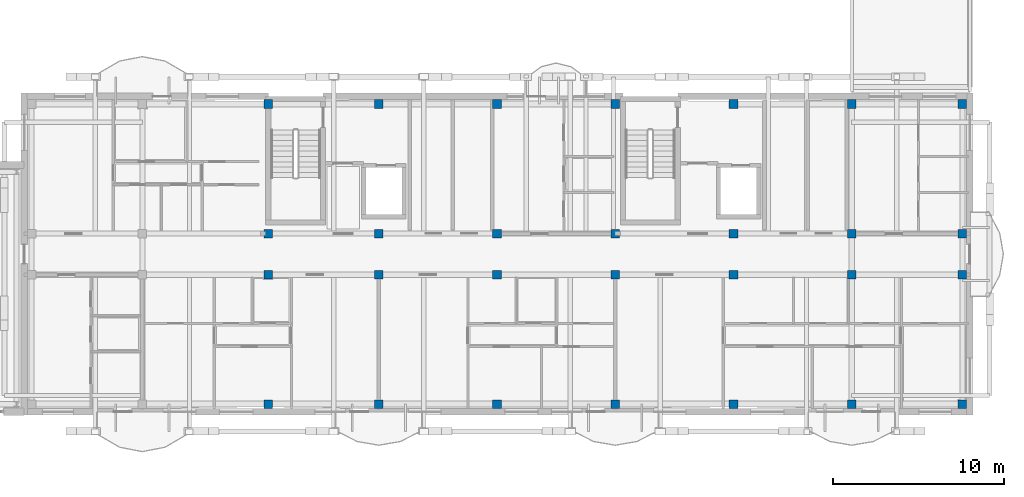
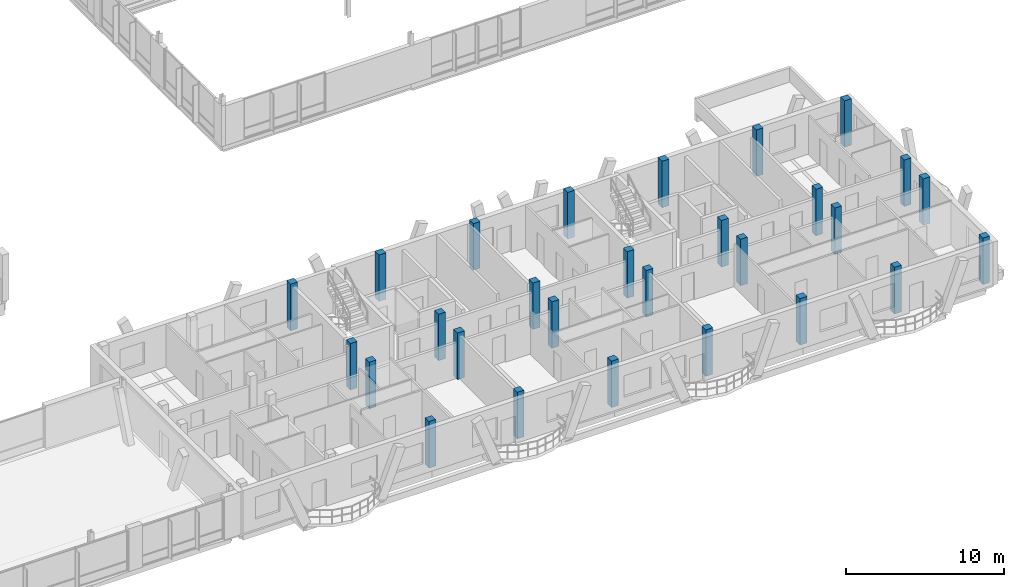
# One storey, part 11 of 189: 28 columns.
"""IFC4 building model written with IfcOpenShell, lengths in metres."""

from ifc_helpers import new_model, si_unit, direction, frame, origin, origin_2d, place, context, subcontext, project, spatial, rectangle, extrude, material, material_profile, profile_set, type_object, element, save


model = new_model("IFC4")

# Units and contexts
model_context = context("Model", 3, precision=1e-05, world=origin(), true_north=direction((0.0, 1.0)))
body_context = subcontext(model_context, "Body", "Model", "MODEL_VIEW")
ifc_project = project(units=[si_unit("LENGTHUNIT", "METRE"), si_unit("AREAUNIT", "SQUARE_METRE"), si_unit("VOLUMEUNIT", "CUBIC_METRE"), si_unit("PLANEANGLEUNIT", "RADIAN"), si_unit("MASSUNIT", "GRAM", prefix="KILO")], contexts=[model_context])

# Site, building, storey
site_placement = place(None, origin())
site = spatial("IfcSite", under=ifc_project, at=site_placement, CompositionType="ELEMENT")
building_placement = place(site_placement, origin())
building = spatial("IfcBuilding", under=site, at=building_placement, Name="Zavelmont Quarter", CompositionType="ELEMENT")
storey_placement = place(building_placement, frame((0.0, 0.0, 4.39990234375)))
storey = spatial("IfcBuildingStorey", under=building, at=storey_placement, Name="L01", CompositionType="ELEMENT", Elevation=4.39990234375)

# Columns
ifc_material = material(Name="Concrete C40/50", Category="concrete")
ifc_material_profile = material_profile(ifc_material, rectangle(XDim=0.5, YDim=0.5, at=origin_2d()), Name="RC500X500")
ifc_profile_set = profile_set([ifc_material_profile], Name="Concrete C40/50")
column_type = type_object("IfcColumnType", Name="CL03", PredefinedType="COLUMN", material=ifc_profile_set)
for number, where, z_axis, x_axis, name in (
    (1, (127.0400390625, 0.43994140625, 0.0), (0.0, 0.0, 1.0), (1.0, 0.0, 0.0), "L01 column CL03 at 19/A"),
    (2, (127.0400390625, 8.0, 0.0), (0.0, 0.0, 1.0), (1.0, 0.0, 0.0), "L01 column CL03 at 19/B"),
    (3, (127.0400390625, 10.39990234375, 0.0), (0.0, 0.0, 1.0), (1.0, 0.0, 0.0), "L01 column CL03 at 19/C"),
    (4, (127.0400390625, 17.9599609375, 0.0), (0.0, 0.0, 1.0), (1.0, 0.0, 0.0), "L01 column CL03 at 19/D"),
    (5, (133.5, 0.43994140625, 0.0), (0.0, 0.0, 1.0), (1.0, 0.0, 0.0), "L01 column CL03 at 20/A"),
    (6, (133.5, 8.0, 0.0), (0.0, 0.0, 1.0), (1.0, 0.0, 0.0), "L01 column CL03 at 20/B"),
    (7, (133.5, 10.39990234375, 0.0), (0.0, 0.0, 1.0), (1.0, 0.0, 0.0), "L01 column CL03 at 20/C"),
    (8, (133.5, 17.9599609375, 0.0), (0.0, 0.0, 1.0), (1.0, 0.0, 0.0), "L01 column CL03 at 20/D"),
    (9, (140.39990234375, 0.43994140625, 0.0), (0.0, 0.0, 1.0), (1.0, 0.0, 0.0), "L01 column CL03 at 21/A"),
    (10, (140.39990234375, 8.0, 0.0), (0.0, 0.0, 1.0), (1.0, 0.0, 0.0), "L01 column CL03 at 21/B"),
    (11, (140.39990234375, 10.39990234375, 0.0), (0.0, 0.0, 1.0), (1.0, 0.0, 0.0), "L01 column CL03 at 21/C"),
    (12, (140.39990234375, 17.9599609375, 0.0), (0.0, 0.0, 1.0), (1.0, 0.0, 0.0), "L01 column CL03 at 21/D"),
    (13, (147.300048828125, 0.43994140625, 0.0), (0.0, 0.0, 1.0), (1.0, 0.0, 0.0), "L01 column CL03 at 22/A"),
    (14, (147.300048828125, 8.0, 0.0), (0.0, 0.0, 1.0), (1.0, 0.0, 0.0), "L01 column CL03 at 22/B"),
    (15, (147.300048828125, 10.39990234375, 0.0), (0.0, 0.0, 1.0), (1.0, 0.0, 0.0), "L01 column CL03 at 22/C"),
    (16, (147.300048828125, 17.9599609375, 0.0), (0.0, 0.0, 1.0), (1.0, 0.0, 0.0), "L01 column CL03 at 22/D"),
    (17, (154.199951171875, 0.43994140625, 0.0), (0.0, 0.0, 1.0), (1.0, 0.0, 0.0), "L01 column CL03 at 23/A"),
    (18, (154.199951171875, 8.0, 0.0), (0.0, 0.0, 1.0), (1.0, 0.0, 0.0), "L01 column CL03 at 23/B"),
    (19, (154.199951171875, 10.39990234375, 0.0), (0.0, 0.0, 1.0), (1.0, 0.0, 0.0), "L01 column CL03 at 23/C"),
    (20, (154.199951171875, 17.9599609375, 0.0), (0.0, 0.0, 1.0), (1.0, 0.0, 0.0), "L01 column CL03 at 23/D"),
    (21, (161.10009765625, 0.43994140625, 0.0), (0.0, 0.0, 1.0), (1.0, 0.0, 0.0), "L01 column CL03 at 24/A"),
    (22, (161.10009765625, 8.0, 0.0), (0.0, 0.0, 1.0), (1.0, 0.0, 0.0), "L01 column CL03 at 24/B"),
    (23, (161.10009765625, 10.39990234375, 0.0), (0.0, 0.0, 1.0), (1.0, 0.0, 0.0), "L01 column CL03 at 24/C"),
    (24, (161.10009765625, 17.9599609375, 0.0), (0.0, 0.0, 1.0), (1.0, 0.0, 0.0), "L01 column CL03 at 24/D"),
    (25, (167.56005859375, 0.43994140625, 0.0), (0.0, 0.0, 1.0), (1.0, 0.0, 0.0), "L01 column CL03 at 25/A"),
    (26, (167.56005859375, 8.0, 0.0), (0.0, 0.0, 1.0), (1.0, 0.0, 0.0), "L01 column CL03 at 25/B"),
    (27, (167.56005859375, 10.39990234375, 0.0), (0.0, 0.0, 1.0), (1.0, 0.0, 0.0), "L01 column CL03 at 25/C"),
    (28, (167.56005859375, 17.9599609375, 0.0), (0.0, 0.0, 1.0), (1.0, 0.0, 0.0), "L01 column CL03 at 25/D"),
):
    element("IfcColumn", number, at=place(storey_placement, frame(where, z_axis=z_axis, x_axis=x_axis)), inside=storey, type_object=column_type, Name=name, PredefinedType="COLUMN", context=body_context, shape_type="SweptSolid", body=[
        extrude(rectangle(XDim=0.5, YDim=0.5, at=origin_2d()), origin(), (0.0, 0.0, 1.0), 3.60009765625),
    ])

save(model, "model.ifc")
